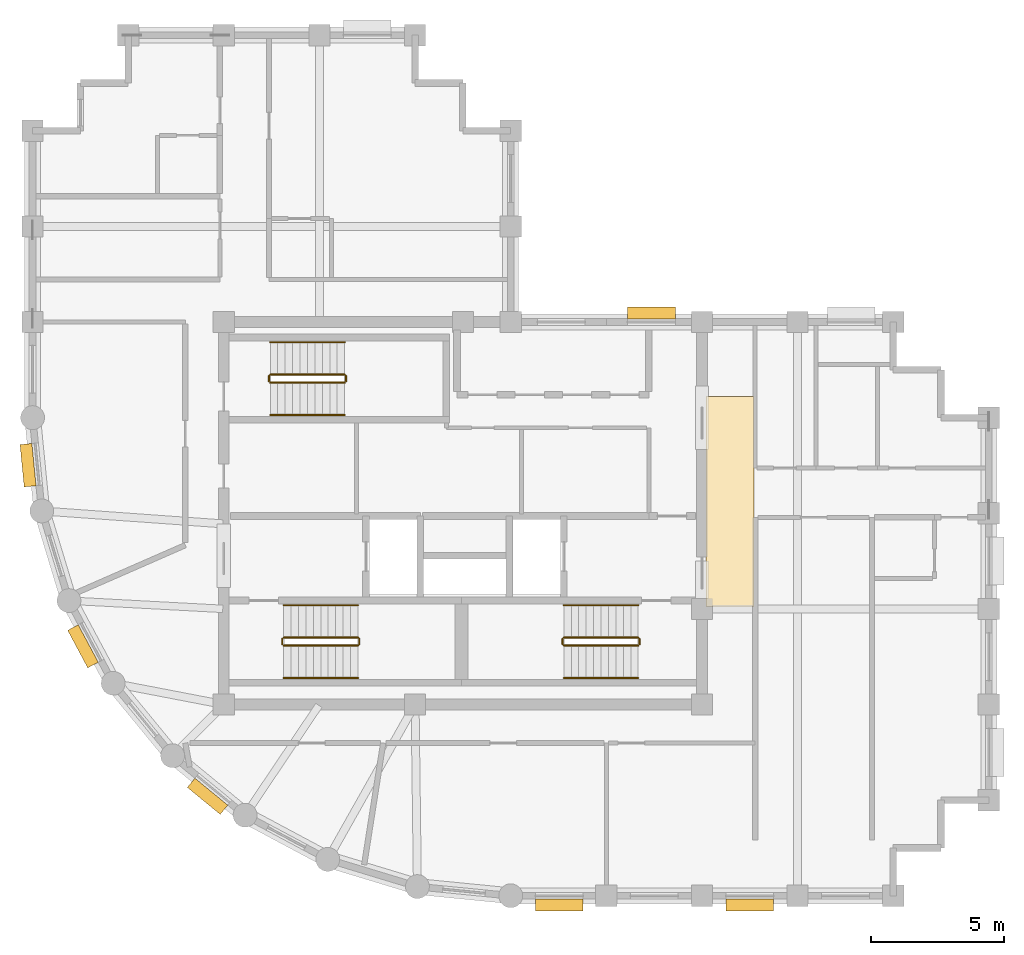
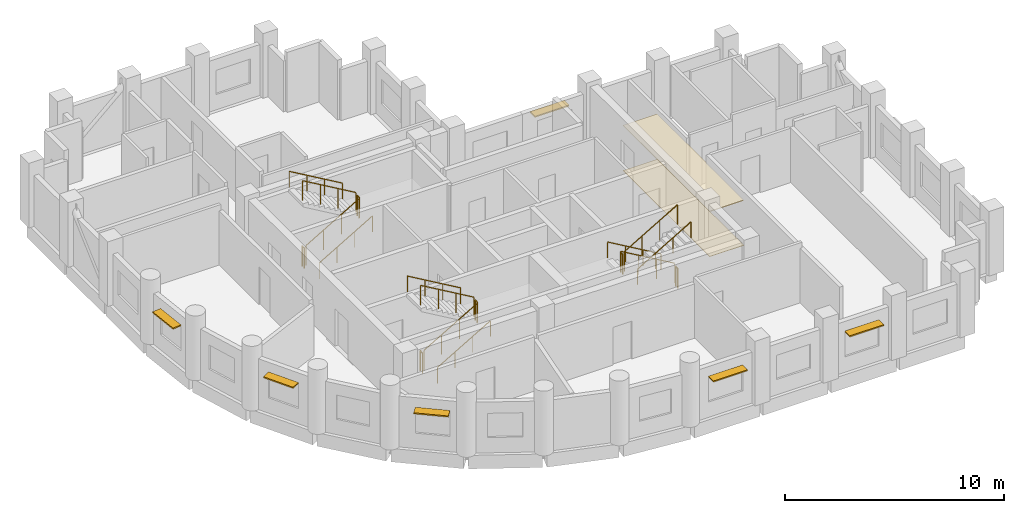
# One storey, part 6 of 7: 18 railings, 6 shading devices, 2 coverings.
"""IFC4 building model written with IfcOpenShell, lengths in metres."""

from ifc_helpers import new_model, si_unit, direction, frame, origin, origin_2d, place, context, subcontext, project, spatial, polyline, rectangle, circle, outline, extrude, material, layer, layer_set, type_object, element, save


model = new_model("IFC4")

# Units and contexts
model_context = context("Model", 3, precision=1e-05, world=origin(), true_north=direction((0.0, 1.0)))
body_context = subcontext(model_context, "Body", "Model", "MODEL_VIEW")
ifc_project = project(units=[si_unit("LENGTHUNIT", "METRE"), si_unit("AREAUNIT", "SQUARE_METRE"), si_unit("VOLUMEUNIT", "CUBIC_METRE"), si_unit("PLANEANGLEUNIT", "RADIAN"), si_unit("MASSUNIT", "GRAM", prefix="KILO")], contexts=[model_context])

# Site, building, storey
site_placement = place(None, origin())
site = spatial("IfcSite", under=ifc_project, at=site_placement, CompositionType="ELEMENT")
building_placement = place(site_placement, origin())
building = spatial("IfcBuilding", under=site, at=building_placement, Name="Solnavia Interchange Tower", CompositionType="ELEMENT")
storey_placement = place(building_placement, frame((0.0, 0.0, 235.39990234375)))
storey = spatial("IfcBuildingStorey", under=building, at=storey_placement, Name="L59", CompositionType="ELEMENT", Elevation=235.39990234375)

# Coverings
ifc_material_1 = material(Name="Perforated Mineral-Fibre & Gypsum Ceiling", Category="gypsum")
ifc_layer_1 = layer(ifc_material_1, 0.0400390625)
ifc_layer_set_1 = layer_set([ifc_layer_1], Name="Perforated Mineral-Fibre & Gypsum Ceiling")
covering_type_1 = type_object("IfcCoveringType", Name="Covering-Ceiling-Acoustic40", PredefinedType="CEILING", material=ifc_layer_set_1)
covering_1_placement = place(storey_placement, frame((0.0, 0.0, 2.5)))
element("IfcCovering", 1, at=covering_1_placement, inside=storey, type_object=covering_type_1, Name="CLG-L59-01 Circulation suspended acoustic ceiling", PredefinedType="CEILING", context=body_context, shape_type="SweptSolid", body=[
    extrude(outline(polyline([(32.550048828125, 14.5), (34.35009765625, 14.5), (34.35009765625, 22.39990234375), (32.550048828125, 22.39990234375), (32.550048828125, 14.5)])), origin(), (0.0, 0.0, 1.0), 0.0400390625),
])
ifc_material_2 = material(Name="Engineered European Oak Flooring", Category="wood")
ifc_layer_2 = layer(ifc_material_2, 0.02001953125)
ifc_layer_set_2 = layer_set([ifc_layer_2], Name="Engineered European Oak Flooring")
covering_type_2 = type_object("IfcCoveringType", Name="Covering-Flooring-Timber20", PredefinedType="FLOORING", material=ifc_layer_set_2)
covering_2_placement = place(storey_placement, origin())
element("IfcCovering", 2, at=covering_2_placement, inside=storey, type_object=covering_type_2, Name="FLR-L59-01 Circulation floor finish", PredefinedType="FLOORING", context=body_context, shape_type="SweptSolid", body=[
    extrude(outline(polyline([(32.550048828125, 14.5), (34.35009765625, 14.5), (34.35009765625, 22.39990234375), (32.550048828125, 22.39990234375), (32.550048828125, 14.5)])), origin(), (0.0, 0.0, 1.0), 0.02001953125),
])

# Railings
ifc_material_3 = material(Name="Painted Steel Balustrade", Category="steel")
railing_type_1 = type_object("IfcRailingType", Name="Railing-StairGuard-1100", PredefinedType="GUARDRAIL", material=ifc_material_3)
railing_1_placement = place(storey_placement, frame((16.64990234375, 13.02001953125, 0.163818359375)))
element("IfcRailing", 3, at=railing_1_placement, inside=storey, type_object=railing_type_1, Name="L59 ST-1 stair guard 1", PredefinedType="GUARDRAIL", context=body_context, shape_type="SweptSolid", body=[
    extrude(circle(Radius=0.02392578125, at=origin_2d()), frame((0.0, 0.0, 1.09619140625), z_axis=(0.863393664356, 0.0, 0.504530851732), x_axis=(0.0, 1.0, 0.0)), (0.0, 0.0, 1.0), 3.2431640625),
    extrude(circle(Radius=0.02099609375, at=origin_2d()), origin(), (0.0, 0.0, 1.0), 1.072021484375),
    extrude(circle(Radius=0.02099609375, at=origin_2d()), frame((0.933349609375, 0.0, 0.54541015625)), (0.0, 0.0, 1.0), 1.072021484375),
    extrude(circle(Radius=0.02099609375, at=origin_2d()), frame((1.86669921875, 0.0, 1.0908203125)), (0.0, 0.0, 1.0), 1.072021484375),
    extrude(circle(Radius=0.02099609375, at=origin_2d()), frame((2.800048828125, 0.0, 1.63623046875)), (0.0, 0.0, 1.0), 1.072021484375),
])
railing_2_placement = place(storey_placement, frame((19.5, 13.070068359375, 1.800048828125)))
element("IfcRailing", 4, at=railing_2_placement, inside=storey, type_object=railing_type_1, Name="L59 ST-1 stair guard 2", PredefinedType="GUARDRAIL", context=body_context, shape_type="SweptSolid", body=[
    extrude(circle(Radius=0.02392578125, at=origin_2d()), frame((0.0, 0.0, 1.09619140625), z_axis=(0.0, 1.0, 0.0), x_axis=(-1.0, 0.0, 0.0)), (0.0, 0.0, 1.0), 0.199951171875),
    extrude(circle(Radius=0.02099609375, at=origin_2d()), origin(), (0.0, 0.0, 1.0), 1.072021484375),
    extrude(circle(Radius=0.02099609375, at=origin_2d()), frame((0.0, 0.199951171875, 0.0)), (0.0, 0.0, 1.0), 1.072021484375),
])
railing_3_placement = place(storey_placement, frame((19.449951171875, 13.320068359375, 1.963623046875)))
element("IfcRailing", 5, at=railing_3_placement, inside=storey, type_object=railing_type_1, Name="L59 ST-1 stair guard 3", PredefinedType="GUARDRAIL", context=body_context, shape_type="SweptSolid", body=[
    extrude(circle(Radius=0.02392578125, at=origin_2d()), frame((0.0, 0.0, 1.09619140625), z_axis=(-0.863360870873, 0.0, 0.504586966384), x_axis=(0.0, -1.0, 0.0)), (0.0, 0.0, 1.0), 3.2431640625),
    extrude(circle(Radius=0.02099609375, at=origin_2d()), origin(), (0.0, 0.0, 1.0), 1.072021484375),
    extrude(circle(Radius=0.02099609375, at=origin_2d()), frame((-0.933349609375, 0.0, 0.54541015625)), (0.0, 0.0, 1.0), 1.072021484375),
    extrude(circle(Radius=0.02099609375, at=origin_2d()), frame((-1.86669921875, 0.0, 1.091064453125)), (0.0, 0.0, 1.0), 1.072021484375),
    extrude(circle(Radius=0.02099609375, at=origin_2d()), frame((-2.800048828125, 0.0, 1.636474609375)), (0.0, 0.0, 1.0), 1.072021484375),
])
railing_4_placement = place(storey_placement, frame((16.60009765625, 13.070068359375, 0.0)))
element("IfcRailing", 6, at=railing_4_placement, inside=storey, type_object=railing_type_1, Name="L59 ST-1 stair guard 4", PredefinedType="GUARDRAIL", context=body_context, shape_type="SweptSolid", body=[
    extrude(circle(Radius=0.02392578125, at=origin_2d()), frame((0.0, 0.0, 1.09619140625), z_axis=(0.0, 1.0, 0.0), x_axis=(-1.0, 0.0, 0.0)), (0.0, 0.0, 1.0), 0.199951171875),
    extrude(circle(Radius=0.02099609375, at=origin_2d()), origin(), (0.0, 0.0, 1.0), 1.072021484375),
    extrude(circle(Radius=0.02099609375, at=origin_2d()), frame((0.0, 0.199951171875, 0.0)), (0.0, 0.0, 1.0), 1.072021484375),
])
railing_5_placement = place(storey_placement, frame((30.0, 13.320068359375, 0.163818359375)))
element("IfcRailing", 7, at=railing_5_placement, inside=storey, type_object=railing_type_1, Name="L59 ST-2 stair guard 1", PredefinedType="GUARDRAIL", context=body_context, shape_type="SweptSolid", body=[
    extrude(circle(Radius=0.02392578125, at=origin_2d()), frame((0.0, 0.0, 1.09619140625), z_axis=(-0.863393664356, 0.0, 0.504530851732), x_axis=(0.0, -1.0, 0.0)), (0.0, 0.0, 1.0), 3.2431640625),
    extrude(circle(Radius=0.02099609375, at=origin_2d()), origin(), (0.0, 0.0, 1.0), 1.072021484375),
    extrude(circle(Radius=0.02099609375, at=origin_2d()), frame((-0.933349609375, 0.0, 0.54541015625)), (0.0, 0.0, 1.0), 1.072021484375),
    extrude(circle(Radius=0.02099609375, at=origin_2d()), frame((-1.86669921875, 0.0, 1.0908203125)), (0.0, 0.0, 1.0), 1.072021484375),
    extrude(circle(Radius=0.02099609375, at=origin_2d()), frame((-2.800048828125, 0.0, 1.63623046875)), (0.0, 0.0, 1.0), 1.072021484375),
])
railing_6_placement = place(storey_placement, frame((27.14990234375, 13.27001953125, 1.800048828125)))
element("IfcRailing", 8, at=railing_6_placement, inside=storey, type_object=railing_type_1, Name="L59 ST-2 stair guard 2", PredefinedType="GUARDRAIL", context=body_context, shape_type="SweptSolid", body=[
    extrude(circle(Radius=0.02392578125, at=origin_2d()), frame((0.0, 0.0, 1.09619140625), z_axis=(0.0, -1.0, 0.0), x_axis=(1.0, 0.0, 0.0)), (0.0, 0.0, 1.0), 0.199951171875),
    extrude(circle(Radius=0.02099609375, at=origin_2d()), origin(), (0.0, 0.0, 1.0), 1.072021484375),
    extrude(circle(Radius=0.02099609375, at=origin_2d()), frame((0.0, -0.199951171875, 0.0)), (0.0, 0.0, 1.0), 1.072021484375),
])
railing_7_placement = place(storey_placement, frame((27.199951171875, 13.02001953125, 1.963623046875)))
element("IfcRailing", 9, at=railing_7_placement, inside=storey, type_object=railing_type_1, Name="L59 ST-2 stair guard 3", PredefinedType="GUARDRAIL", context=body_context, shape_type="SweptSolid", body=[
    extrude(circle(Radius=0.02392578125, at=origin_2d()), frame((0.0, 0.0, 1.09619140625), z_axis=(0.863360870873, 0.0, 0.504586966384), x_axis=(0.0, 1.0, 0.0)), (0.0, 0.0, 1.0), 3.2431640625),
    extrude(circle(Radius=0.02099609375, at=origin_2d()), origin(), (0.0, 0.0, 1.0), 1.072021484375),
    extrude(circle(Radius=0.02099609375, at=origin_2d()), frame((0.933349609375, 0.0, 0.54541015625)), (0.0, 0.0, 1.0), 1.072021484375),
    extrude(circle(Radius=0.02099609375, at=origin_2d()), frame((1.86669921875, 0.0, 1.091064453125)), (0.0, 0.0, 1.0), 1.072021484375),
    extrude(circle(Radius=0.02099609375, at=origin_2d()), frame((2.800048828125, 0.0, 1.636474609375)), (0.0, 0.0, 1.0), 1.072021484375),
])
railing_8_placement = place(storey_placement, frame((30.050048828125, 13.27001953125, 0.0)))
element("IfcRailing", 10, at=railing_8_placement, inside=storey, type_object=railing_type_1, Name="L59 ST-2 stair guard 4", PredefinedType="GUARDRAIL", context=body_context, shape_type="SweptSolid", body=[
    extrude(circle(Radius=0.02392578125, at=origin_2d()), frame((0.0, 0.0, 1.09619140625), z_axis=(0.0, -1.0, 0.0), x_axis=(1.0, 0.0, 0.0)), (0.0, 0.0, 1.0), 0.199951171875),
    extrude(circle(Radius=0.02099609375, at=origin_2d()), origin(), (0.0, 0.0, 1.0), 1.072021484375),
    extrude(circle(Radius=0.02099609375, at=origin_2d()), frame((0.0, -0.199951171875, 0.0)), (0.0, 0.0, 1.0), 1.072021484375),
])
railing_9_placement = place(storey_placement, frame((16.14990234375, 22.919921875, 0.163818359375)))
element("IfcRailing", 11, at=railing_9_placement, inside=storey, type_object=railing_type_1, Name="L59 ST-3 stair guard 1", PredefinedType="GUARDRAIL", context=body_context, shape_type="SweptSolid", body=[
    extrude(circle(Radius=0.02392578125, at=origin_2d()), frame((0.0, 0.0, 1.09619140625), z_axis=(0.863393664356, 0.0, 0.504530851732), x_axis=(0.0, 1.0, 0.0)), (0.0, 0.0, 1.0), 3.2431640625),
    extrude(circle(Radius=0.02099609375, at=origin_2d()), origin(), (0.0, 0.0, 1.0), 1.072021484375),
    extrude(circle(Radius=0.02099609375, at=origin_2d()), frame((0.933349609375, 0.0, 0.54541015625)), (0.0, 0.0, 1.0), 1.072021484375),
    extrude(circle(Radius=0.02099609375, at=origin_2d()), frame((1.86669921875, 0.0, 1.0908203125)), (0.0, 0.0, 1.0), 1.072021484375),
    extrude(circle(Radius=0.02099609375, at=origin_2d()), frame((2.800048828125, 0.0, 1.63623046875)), (0.0, 0.0, 1.0), 1.072021484375),
])
railing_10_placement = place(storey_placement, frame((19.0, 22.969970703125, 1.800048828125)))
element("IfcRailing", 12, at=railing_10_placement, inside=storey, type_object=railing_type_1, Name="L59 ST-3 stair guard 2", PredefinedType="GUARDRAIL", context=body_context, shape_type="SweptSolid", body=[
    extrude(circle(Radius=0.02392578125, at=origin_2d()), frame((0.0, 0.0, 1.09619140625), z_axis=(0.0, 1.0, 0.0), x_axis=(-1.0, 0.0, 0.0)), (0.0, 0.0, 1.0), 0.199951171875),
    extrude(circle(Radius=0.02099609375, at=origin_2d()), origin(), (0.0, 0.0, 1.0), 1.072021484375),
    extrude(circle(Radius=0.02099609375, at=origin_2d()), frame((0.0, 0.199951171875, 0.0)), (0.0, 0.0, 1.0), 1.072021484375),
])
railing_11_placement = place(storey_placement, frame((18.949951171875, 23.219970703125, 1.963623046875)))
element("IfcRailing", 13, at=railing_11_placement, inside=storey, type_object=railing_type_1, Name="L59 ST-3 stair guard 3", PredefinedType="GUARDRAIL", context=body_context, shape_type="SweptSolid", body=[
    extrude(circle(Radius=0.02392578125, at=origin_2d()), frame((0.0, 0.0, 1.09619140625), z_axis=(-0.863360870873, 0.0, 0.504586966384), x_axis=(0.0, -1.0, 0.0)), (0.0, 0.0, 1.0), 3.2431640625),
    extrude(circle(Radius=0.02099609375, at=origin_2d()), origin(), (0.0, 0.0, 1.0), 1.072021484375),
    extrude(circle(Radius=0.02099609375, at=origin_2d()), frame((-0.933349609375, 0.0, 0.54541015625)), (0.0, 0.0, 1.0), 1.072021484375),
    extrude(circle(Radius=0.02099609375, at=origin_2d()), frame((-1.86669921875, 0.0, 1.091064453125)), (0.0, 0.0, 1.0), 1.072021484375),
    extrude(circle(Radius=0.02099609375, at=origin_2d()), frame((-2.800048828125, 0.0, 1.636474609375)), (0.0, 0.0, 1.0), 1.072021484375),
])
railing_12_placement = place(storey_placement, frame((16.10009765625, 22.969970703125, 0.0)))
element("IfcRailing", 14, at=railing_12_placement, inside=storey, type_object=railing_type_1, Name="L59 ST-3 stair guard 4", PredefinedType="GUARDRAIL", context=body_context, shape_type="SweptSolid", body=[
    extrude(circle(Radius=0.02392578125, at=origin_2d()), frame((0.0, 0.0, 1.09619140625), z_axis=(0.0, 1.0, 0.0), x_axis=(-1.0, 0.0, 0.0)), (0.0, 0.0, 1.0), 0.199951171875),
    extrude(circle(Radius=0.02099609375, at=origin_2d()), origin(), (0.0, 0.0, 1.0), 1.072021484375),
    extrude(circle(Radius=0.02099609375, at=origin_2d()), frame((0.0, 0.199951171875, 0.0)), (0.0, 0.0, 1.0), 1.072021484375),
])
ifc_material_4 = material(Name="Brushed Stainless Steel", Category="steel")
railing_type_2 = type_object("IfcRailingType", Name="Railing-StairHandrail-900", PredefinedType="HANDRAIL", material=ifc_material_4)
railing_13_placement = place(storey_placement, frame((16.64990234375, 11.800048828125, 0.163818359375)))
element("IfcRailing", 15, at=railing_13_placement, inside=storey, type_object=railing_type_2, Name="L59 ST-1 stair handrail 1", PredefinedType="HANDRAIL", context=body_context, shape_type="SweptSolid", body=[
    extrude(circle(Radius=0.02392578125, at=origin_2d()), frame((0.0, 0.0, 0.8759765625), z_axis=(0.863393664356, 0.0, 0.504530851732), x_axis=(0.0, 1.0, 0.0)), (0.0, 0.0, 1.0), 3.2431640625),
    extrude(circle(Radius=0.02099609375, at=origin_2d()), origin(), (0.0, 0.0, 1.0), 0.851806640625),
    extrude(circle(Radius=0.02099609375, at=origin_2d()), frame((0.933349609375, 0.0, 0.54541015625)), (0.0, 0.0, 1.0), 0.851806640625),
    extrude(circle(Radius=0.02099609375, at=origin_2d()), frame((1.86669921875, 0.0, 1.0908203125)), (0.0, 0.0, 1.0), 0.851806640625),
    extrude(circle(Radius=0.02099609375, at=origin_2d()), frame((2.800048828125, 0.0, 1.63623046875)), (0.0, 0.0, 1.0), 0.851806640625),
])
railing_14_placement = place(storey_placement, frame((19.449951171875, 14.5400390625, 1.963623046875)))
element("IfcRailing", 16, at=railing_14_placement, inside=storey, type_object=railing_type_2, Name="L59 ST-1 stair handrail 2", PredefinedType="HANDRAIL", context=body_context, shape_type="SweptSolid", body=[
    extrude(circle(Radius=0.02392578125, at=origin_2d()), frame((0.0, 0.0, 0.8759765625), z_axis=(-0.863360870873, 0.0, 0.504586966384), x_axis=(0.0, -1.0, 0.0)), (0.0, 0.0, 1.0), 3.2431640625),
    extrude(circle(Radius=0.02099609375, at=origin_2d()), origin(), (0.0, 0.0, 1.0), 0.851806640625),
    extrude(circle(Radius=0.02099609375, at=origin_2d()), frame((-0.933349609375, 0.0, 0.54541015625)), (0.0, 0.0, 1.0), 0.851806640625),
    extrude(circle(Radius=0.02099609375, at=origin_2d()), frame((-1.86669921875, 0.0, 1.091064453125)), (0.0, 0.0, 1.0), 0.851806640625),
    extrude(circle(Radius=0.02099609375, at=origin_2d()), frame((-2.800048828125, 0.0, 1.636474609375)), (0.0, 0.0, 1.0), 0.851806640625),
])
railing_15_placement = place(storey_placement, frame((30.0, 14.5400390625, 0.163818359375)))
element("IfcRailing", 17, at=railing_15_placement, inside=storey, type_object=railing_type_2, Name="L59 ST-2 stair handrail 1", PredefinedType="HANDRAIL", context=body_context, shape_type="SweptSolid", body=[
    extrude(circle(Radius=0.02392578125, at=origin_2d()), frame((0.0, 0.0, 0.8759765625), z_axis=(-0.863393664356, 0.0, 0.504530851732), x_axis=(0.0, -1.0, 0.0)), (0.0, 0.0, 1.0), 3.2431640625),
    extrude(circle(Radius=0.02099609375, at=origin_2d()), origin(), (0.0, 0.0, 1.0), 0.851806640625),
    extrude(circle(Radius=0.02099609375, at=origin_2d()), frame((-0.933349609375, 0.0, 0.54541015625)), (0.0, 0.0, 1.0), 0.851806640625),
    extrude(circle(Radius=0.02099609375, at=origin_2d()), frame((-1.86669921875, 0.0, 1.0908203125)), (0.0, 0.0, 1.0), 0.851806640625),
    extrude(circle(Radius=0.02099609375, at=origin_2d()), frame((-2.800048828125, 0.0, 1.63623046875)), (0.0, 0.0, 1.0), 0.851806640625),
])
railing_16_placement = place(storey_placement, frame((27.199951171875, 11.800048828125, 1.963623046875)))
element("IfcRailing", 18, at=railing_16_placement, inside=storey, type_object=railing_type_2, Name="L59 ST-2 stair handrail 2", PredefinedType="HANDRAIL", context=body_context, shape_type="SweptSolid", body=[
    extrude(circle(Radius=0.02392578125, at=origin_2d()), frame((0.0, 0.0, 0.8759765625), z_axis=(0.863360870873, 0.0, 0.504586966384), x_axis=(0.0, 1.0, 0.0)), (0.0, 0.0, 1.0), 3.2431640625),
    extrude(circle(Radius=0.02099609375, at=origin_2d()), origin(), (0.0, 0.0, 1.0), 0.851806640625),
    extrude(circle(Radius=0.02099609375, at=origin_2d()), frame((0.933349609375, 0.0, 0.54541015625)), (0.0, 0.0, 1.0), 0.851806640625),
    extrude(circle(Radius=0.02099609375, at=origin_2d()), frame((1.86669921875, 0.0, 1.091064453125)), (0.0, 0.0, 1.0), 0.851806640625),
    extrude(circle(Radius=0.02099609375, at=origin_2d()), frame((2.800048828125, 0.0, 1.636474609375)), (0.0, 0.0, 1.0), 0.851806640625),
])
railing_17_placement = place(storey_placement, frame((16.14990234375, 21.699951171875, 0.163818359375)))
element("IfcRailing", 19, at=railing_17_placement, inside=storey, type_object=railing_type_2, Name="L59 ST-3 stair handrail 1", PredefinedType="HANDRAIL", context=body_context, shape_type="SweptSolid", body=[
    extrude(circle(Radius=0.02392578125, at=origin_2d()), frame((0.0, 0.0, 0.8759765625), z_axis=(0.863393664356, 0.0, 0.504530851732), x_axis=(0.0, 1.0, 0.0)), (0.0, 0.0, 1.0), 3.2431640625),
    extrude(circle(Radius=0.02099609375, at=origin_2d()), origin(), (0.0, 0.0, 1.0), 0.851806640625),
    extrude(circle(Radius=0.02099609375, at=origin_2d()), frame((0.933349609375, 0.0, 0.54541015625)), (0.0, 0.0, 1.0), 0.851806640625),
    extrude(circle(Radius=0.02099609375, at=origin_2d()), frame((1.86669921875, 0.0, 1.0908203125)), (0.0, 0.0, 1.0), 0.851806640625),
    extrude(circle(Radius=0.02099609375, at=origin_2d()), frame((2.800048828125, 0.0, 1.63623046875)), (0.0, 0.0, 1.0), 0.851806640625),
])
railing_18_placement = place(storey_placement, frame((18.949951171875, 24.43994140625, 1.963623046875)))
element("IfcRailing", 20, at=railing_18_placement, inside=storey, type_object=railing_type_2, Name="L59 ST-3 stair handrail 2", PredefinedType="HANDRAIL", context=body_context, shape_type="SweptSolid", body=[
    extrude(circle(Radius=0.02392578125, at=origin_2d()), frame((0.0, 0.0, 0.8759765625), z_axis=(-0.863360870873, 0.0, 0.504586966384), x_axis=(0.0, -1.0, 0.0)), (0.0, 0.0, 1.0), 3.2431640625),
    extrude(circle(Radius=0.02099609375, at=origin_2d()), origin(), (0.0, 0.0, 1.0), 0.851806640625),
    extrude(circle(Radius=0.02099609375, at=origin_2d()), frame((-0.933349609375, 0.0, 0.54541015625)), (0.0, 0.0, 1.0), 0.851806640625),
    extrude(circle(Radius=0.02099609375, at=origin_2d()), frame((-1.86669921875, 0.0, 1.091064453125)), (0.0, 0.0, 1.0), 0.851806640625),
    extrude(circle(Radius=0.02099609375, at=origin_2d()), frame((-2.800048828125, 0.0, 1.636474609375)), (0.0, 0.0, 1.0), 0.851806640625),
])

# Shading devices
ifc_material_5 = material(Name="Anodised Aluminium Sunshade", Category="aluminium")
ifc_layer_3 = layer(ifc_material_5, 0.070068359375)
ifc_layer_set_3 = layer_set([ifc_layer_3], Name="Anodised Aluminium Sunshade")
shading_device_type = type_object("IfcShadingDeviceType", Name="Sunshade-Band-450", PredefinedType="JALOUSIE", material=ifc_layer_set_3)
for number, where, z_axis, x_axis, name in (
    (21, (27.02490234375, 3.2548828125, 2.22509765625), (0.0, 0.0, 1.0), (-1.0, 0.0, 0.0), "SHD-L59-01 Horizontal sunshade band"),
    (22, (34.199951171875, 3.2548828125, 2.22509765625), (0.0, 0.0, 1.0), (-1.0, 0.0, 0.0), "SHD-L59-03 Horizontal sunshade band"),
    (23, (30.4951171875, 25.544921875, 2.22509765625), (0.0, 0.0, 1.0), (1.0, 0.0, 0.0), "SHD-L59-19 Horizontal sunshade band"),
):
    element("IfcShadingDevice", number, at=place(storey_placement, frame(where, z_axis=z_axis, x_axis=x_axis)), inside=storey, type_object=shading_device_type, Name=name, PredefinedType="JALOUSIE", context=body_context, shape_type="SweptSolid", body=[
        extrude(rectangle(XDim=1.800048828125, YDim=0.449951171875, at=origin_2d()), origin(), (0.0, 0.0, 1.0), 0.070068359375),
    ])
for number, where, z_axis, x_axis, name in (
    (24, (7.029541015625, 19.810791015625, 2.22509765625), (0.0, 0.0, 1.0), (-0.098103986207, 0.995176169274, 0.0), "SHD-L59-37 Horizontal sunshade band"),
    (25, (9.097900390625, 12.992919921875, 2.22509765625), (0.0, 0.0, 1.0), (-0.47147369718, 0.881880123865, 0.0), "SHD-L59-39 Horizontal sunshade band"),
    (26, (13.78759765625, 7.3466796875, 2.22509765625), (0.0, 0.0, 1.0), (-0.773176510644, 0.634190888762, 0.0), "SHD-L59-41 Horizontal sunshade band"),
):
    element("IfcShadingDevice", number, at=place(storey_placement, frame(where, z_axis=z_axis, x_axis=x_axis)), inside=storey, type_object=shading_device_type, Name=name, PredefinedType="JALOUSIE", context=body_context, shape_type="SweptSolid", body=[
        extrude(rectangle(XDim=1.60009765625, YDim=0.449951171875, at=origin_2d()), origin(), (0.0, 0.0, 1.0), 0.070068359375),
    ])

save(model, "model.ifc")
